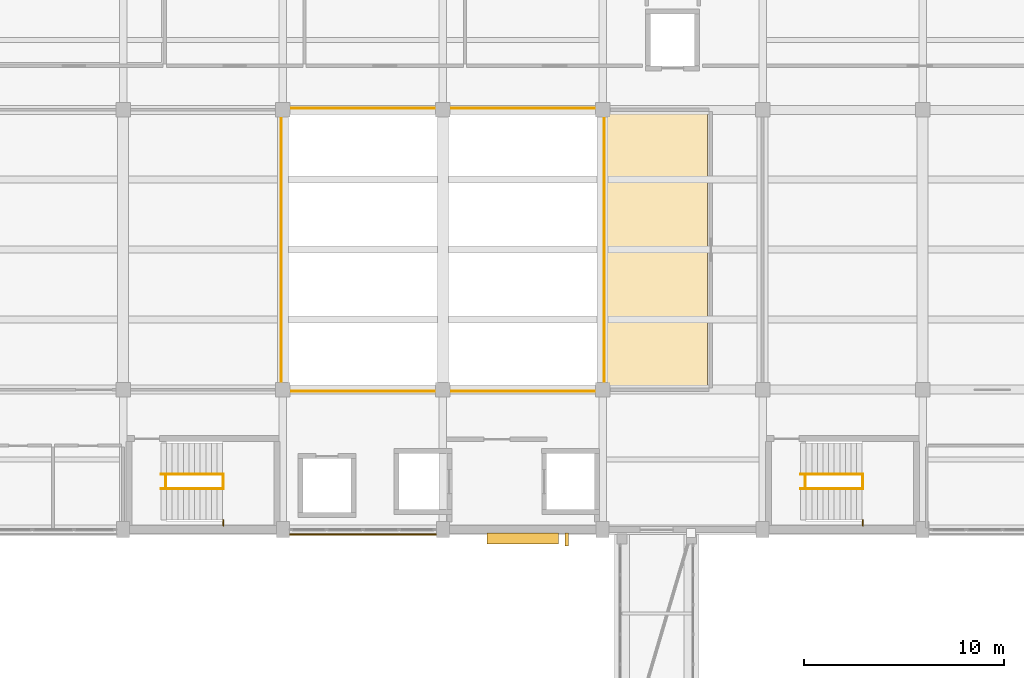
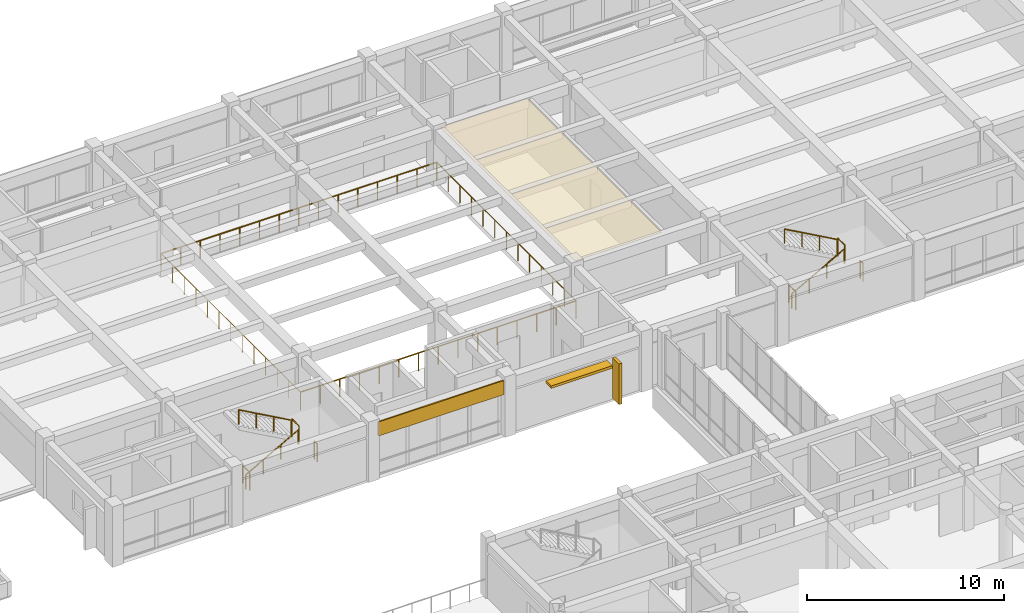
# One storey, part 39 of 42: 14 railings, 2 coverings, 2 shading devices.
"""IFC4 building model written with IfcOpenShell, lengths in metres."""

from ifc_helpers import new_model, si_unit, direction, frame, origin, origin_2d, place, context, subcontext, project, spatial, polyline, rectangle, circle, outline, extrude, material, layer, layer_set, type_object, element, save


model = new_model("IFC4")

# Units and contexts
model_context = context("Model", 3, precision=1e-05, world=origin(), true_north=direction((0.0, 1.0)))
body_context = subcontext(model_context, "Body", "Model", "MODEL_VIEW")
ifc_project = project(units=[si_unit("LENGTHUNIT", "METRE"), si_unit("AREAUNIT", "SQUARE_METRE"), si_unit("VOLUMEUNIT", "CUBIC_METRE"), si_unit("PLANEANGLEUNIT", "RADIAN"), si_unit("MASSUNIT", "GRAM", prefix="KILO")], contexts=[model_context])

# Site, building, storey
site_placement = place(None, origin())
site = spatial("IfcSite", under=ifc_project, at=site_placement, CompositionType="ELEMENT")
building_placement = place(site_placement, origin())
building = spatial("IfcBuilding", under=site, at=building_placement, Name="Naurynzar Civic Courthouse", CompositionType="ELEMENT")
storey_placement = place(building_placement, frame((0.0, 0.0, 18.300048828125)))
storey = spatial("IfcBuildingStorey", under=building, at=storey_placement, Name="L05", CompositionType="ELEMENT", Elevation=18.300048828125)

# Coverings
ifc_material_1 = material(Name="Mineral Fibre Acoustic Ceiling")
ifc_layer_1 = layer(ifc_material_1, 0.030029296875)
ifc_layer_set_1 = layer_set([ifc_layer_1], Name="CEIL-MINERAL-30")
covering_type_1 = type_object("IfcCoveringType", Name="CEIL-MINERAL-30", PredefinedType="CEILING", material=ifc_layer_set_1)
covering_1_placement = place(storey_placement, frame((0.0, 0.0, 3.364990234375)))
element("IfcCovering", 1, at=covering_1_placement, inside=storey, type_object=covering_type_1, Name="Acoustic suspended ceiling Jury Room 5A", PredefinedType="CEILING", context=body_context, shape_type="SweptSolid", body=[
    extrude(outline(polyline([(93.159912109375, 51.159912109375), (93.159912109375, 64.840087890625), (98.239990234375, 64.840087890625), (98.239990234375, 51.159912109375), (93.159912109375, 51.159912109375)])), origin(), (0.0, 0.0, 1.0), 0.030029296875),
])
ifc_material_2 = material(Name="Precast concrete C40/50", Category="concrete")
ifc_layer_2 = layer(ifc_material_2, 0.080078125)
ifc_layer_set_2 = layer_set([ifc_layer_2], Name="COV-CLAD-PRECAST-80")
covering_type_2 = type_object("IfcCoveringType", Name="COV-CLAD-PRECAST-80", PredefinedType="CLADDING", material=ifc_layer_set_2)
covering_2_placement = place(storey_placement, frame((81.0, 43.7451171875, 2.599853515625), z_axis=(0.0, 0.0, 1.0), x_axis=(-1.0, 0.0, 0.0)))
element("IfcCovering", 2, at=covering_2_placement, inside=storey, type_object=covering_type_2, Name="V2 precast spandrel cladding 41", PredefinedType="CLADDING", context=body_context, shape_type="SweptSolid", body=[
    extrude(rectangle(XDim=7.35009765625, YDim=0.080078125, at=origin_2d()), origin(), (0.0, 0.0, 1.0), 0.8701171875),
])

# Railings
ifc_material_3 = material(Name="Brushed Stainless Steel 304", Category="steel")
railing_type_1 = type_object("IfcRailingType", Name="RAIL-BAL-1100", PredefinedType="BALUSTRADE", material=ifc_material_3)
railing_1_placement = place(storey_placement, frame((76.919921875, 50.919921875, 0.0)))
element("IfcRailing", 3, at=railing_1_placement, inside=storey, type_object=railing_type_1, Name="Atrium gallery balustrade guard GR-VOID-V2-L05.1", PredefinedType="BALUSTRADE", context=body_context, shape_type="SweptSolid", body=[
    extrude(circle(Radius=0.02392578125, at=origin_2d()), frame((0.0, 0.0, 1.09619140625), z_axis=(1.0, 0.0, 0.0), x_axis=(0.0, 1.0, 0.0)), (0.0, 0.0, 1.0), 16.16015625),
    extrude(circle(Radius=0.02099609375, at=origin_2d()), origin(), (0.0, 0.0, 1.0), 1.072021484375),
    extrude(circle(Radius=0.02099609375, at=origin_2d()), frame((1.154296875, 0.0, 0.0)), (0.0, 0.0, 1.0), 1.072021484375),
    extrude(circle(Radius=0.02099609375, at=origin_2d()), frame((2.30859375, 0.0, 0.0)), (0.0, 0.0, 1.0), 1.072021484375),
    extrude(circle(Radius=0.02099609375, at=origin_2d()), frame((3.462890625, 0.0, 0.0)), (0.0, 0.0, 1.0), 1.072021484375),
    extrude(circle(Radius=0.02099609375, at=origin_2d()), frame((4.6171875, 0.0, 0.0)), (0.0, 0.0, 1.0), 1.072021484375),
    extrude(circle(Radius=0.02099609375, at=origin_2d()), frame((5.771484375, 0.0, 0.0)), (0.0, 0.0, 1.0), 1.072021484375),
    extrude(circle(Radius=0.02099609375, at=origin_2d()), frame((6.92578125, 0.0, 0.0)), (0.0, 0.0, 1.0), 1.072021484375),
    extrude(circle(Radius=0.02099609375, at=origin_2d()), frame((8.080078125, 0.0, 0.0)), (0.0, 0.0, 1.0), 1.072021484375),
    extrude(circle(Radius=0.02099609375, at=origin_2d()), frame((9.234375, 0.0, 0.0)), (0.0, 0.0, 1.0), 1.072021484375),
    extrude(circle(Radius=0.02099609375, at=origin_2d()), frame((10.388671875, 0.0, 0.0)), (0.0, 0.0, 1.0), 1.072021484375),
    extrude(circle(Radius=0.02099609375, at=origin_2d()), frame((11.54296875, 0.0, 0.0)), (0.0, 0.0, 1.0), 1.072021484375),
    extrude(circle(Radius=0.02099609375, at=origin_2d()), frame((12.697265625, 0.0, 0.0)), (0.0, 0.0, 1.0), 1.072021484375),
    extrude(circle(Radius=0.02099609375, at=origin_2d()), frame((13.8515625, 0.0, 0.0)), (0.0, 0.0, 1.0), 1.072021484375),
    extrude(circle(Radius=0.02099609375, at=origin_2d()), frame((15.005859375, 0.0, 0.0)), (0.0, 0.0, 1.0), 1.072021484375),
    extrude(circle(Radius=0.02099609375, at=origin_2d()), frame((16.16015625, 0.0, 0.0)), (0.0, 0.0, 1.0), 1.072021484375),
])
railing_2_placement = place(storey_placement, frame((93.080078125, 50.919921875, 0.0)))
element("IfcRailing", 4, at=railing_2_placement, inside=storey, type_object=railing_type_1, Name="Atrium gallery balustrade guard GR-VOID-V2-L05.2", PredefinedType="BALUSTRADE", context=body_context, shape_type="SweptSolid", body=[
    extrude(circle(Radius=0.02392578125, at=origin_2d()), frame((0.0, 0.0, 1.09619140625), z_axis=(0.0, 1.0, 0.0), x_axis=(-1.0, 0.0, 0.0)), (0.0, 0.0, 1.0), 14.16015625),
    extrude(circle(Radius=0.02099609375, at=origin_2d()), origin(), (0.0, 0.0, 1.0), 1.072021484375),
    extrude(circle(Radius=0.02099609375, at=origin_2d()), frame((0.0, 1.179931640625, 0.0)), (0.0, 0.0, 1.0), 1.072021484375),
    extrude(circle(Radius=0.02099609375, at=origin_2d()), frame((0.0, 2.360107421875, 0.0)), (0.0, 0.0, 1.0), 1.072021484375),
    extrude(circle(Radius=0.02099609375, at=origin_2d()), frame((0.0, 3.5400390625, 0.0)), (0.0, 0.0, 1.0), 1.072021484375),
    extrude(circle(Radius=0.02099609375, at=origin_2d()), frame((0.0, 4.719970703125, 0.0)), (0.0, 0.0, 1.0), 1.072021484375),
    extrude(circle(Radius=0.02099609375, at=origin_2d()), frame((0.0, 5.900146484375, 0.0)), (0.0, 0.0, 1.0), 1.072021484375),
    extrude(circle(Radius=0.02099609375, at=origin_2d()), frame((0.0, 7.080078125, 0.0)), (0.0, 0.0, 1.0), 1.072021484375),
    extrude(circle(Radius=0.02099609375, at=origin_2d()), frame((0.0, 8.260009765625, 0.0)), (0.0, 0.0, 1.0), 1.072021484375),
    extrude(circle(Radius=0.02099609375, at=origin_2d()), frame((0.0, 9.440185546875, 0.0)), (0.0, 0.0, 1.0), 1.072021484375),
    extrude(circle(Radius=0.02099609375, at=origin_2d()), frame((0.0, 10.6201171875, 0.0)), (0.0, 0.0, 1.0), 1.072021484375),
    extrude(circle(Radius=0.02099609375, at=origin_2d()), frame((0.0, 11.800048828125, 0.0)), (0.0, 0.0, 1.0), 1.072021484375),
    extrude(circle(Radius=0.02099609375, at=origin_2d()), frame((0.0, 12.980224609375, 0.0)), (0.0, 0.0, 1.0), 1.072021484375),
    extrude(circle(Radius=0.02099609375, at=origin_2d()), frame((0.0, 14.16015625, 0.0)), (0.0, 0.0, 1.0), 1.072021484375),
])
railing_3_placement = place(storey_placement, frame((93.080078125, 65.080078125, 0.0)))
element("IfcRailing", 5, at=railing_3_placement, inside=storey, type_object=railing_type_1, Name="Atrium gallery balustrade guard GR-VOID-V2-L05.3", PredefinedType="BALUSTRADE", context=body_context, shape_type="SweptSolid", body=[
    extrude(circle(Radius=0.02392578125, at=origin_2d()), frame((0.0, 0.0, 1.09619140625), z_axis=(-1.0, 0.0, 0.0), x_axis=(0.0, -1.0, 0.0)), (0.0, 0.0, 1.0), 16.16015625),
    extrude(circle(Radius=0.02099609375, at=origin_2d()), origin(), (0.0, 0.0, 1.0), 1.072021484375),
    extrude(circle(Radius=0.02099609375, at=origin_2d()), frame((-1.154296875, 0.0, 0.0)), (0.0, 0.0, 1.0), 1.072021484375),
    extrude(circle(Radius=0.02099609375, at=origin_2d()), frame((-2.30859375, 0.0, 0.0)), (0.0, 0.0, 1.0), 1.072021484375),
    extrude(circle(Radius=0.02099609375, at=origin_2d()), frame((-3.462890625, 0.0, 0.0)), (0.0, 0.0, 1.0), 1.072021484375),
    extrude(circle(Radius=0.02099609375, at=origin_2d()), frame((-4.6171875, 0.0, 0.0)), (0.0, 0.0, 1.0), 1.072021484375),
    extrude(circle(Radius=0.02099609375, at=origin_2d()), frame((-5.771484375, 0.0, 0.0)), (0.0, 0.0, 1.0), 1.072021484375),
    extrude(circle(Radius=0.02099609375, at=origin_2d()), frame((-6.92578125, 0.0, 0.0)), (0.0, 0.0, 1.0), 1.072021484375),
    extrude(circle(Radius=0.02099609375, at=origin_2d()), frame((-8.080078125, 0.0, 0.0)), (0.0, 0.0, 1.0), 1.072021484375),
    extrude(circle(Radius=0.02099609375, at=origin_2d()), frame((-9.234375, 0.0, 0.0)), (0.0, 0.0, 1.0), 1.072021484375),
    extrude(circle(Radius=0.02099609375, at=origin_2d()), frame((-10.388671875, 0.0, 0.0)), (0.0, 0.0, 1.0), 1.072021484375),
    extrude(circle(Radius=0.02099609375, at=origin_2d()), frame((-11.54296875, 0.0, 0.0)), (0.0, 0.0, 1.0), 1.072021484375),
    extrude(circle(Radius=0.02099609375, at=origin_2d()), frame((-12.697265625, 0.0, 0.0)), (0.0, 0.0, 1.0), 1.072021484375),
    extrude(circle(Radius=0.02099609375, at=origin_2d()), frame((-13.8515625, 0.0, 0.0)), (0.0, 0.0, 1.0), 1.072021484375),
    extrude(circle(Radius=0.02099609375, at=origin_2d()), frame((-15.005859375, 0.0, 0.0)), (0.0, 0.0, 1.0), 1.072021484375),
    extrude(circle(Radius=0.02099609375, at=origin_2d()), frame((-16.16015625, 0.0, 0.0)), (0.0, 0.0, 1.0), 1.072021484375),
])
railing_4_placement = place(storey_placement, frame((76.919921875, 65.080078125, 0.0)))
element("IfcRailing", 6, at=railing_4_placement, inside=storey, type_object=railing_type_1, Name="Atrium gallery balustrade guard GR-VOID-V2-L05.4", PredefinedType="BALUSTRADE", context=body_context, shape_type="SweptSolid", body=[
    extrude(circle(Radius=0.02392578125, at=origin_2d()), frame((0.0, 0.0, 1.09619140625), z_axis=(0.0, -1.0, 0.0), x_axis=(1.0, 0.0, 0.0)), (0.0, 0.0, 1.0), 14.16015625),
    extrude(circle(Radius=0.02099609375, at=origin_2d()), origin(), (0.0, 0.0, 1.0), 1.072021484375),
    extrude(circle(Radius=0.02099609375, at=origin_2d()), frame((0.0, -1.179931640625, 0.0)), (0.0, 0.0, 1.0), 1.072021484375),
    extrude(circle(Radius=0.02099609375, at=origin_2d()), frame((0.0, -2.360107421875, 0.0)), (0.0, 0.0, 1.0), 1.072021484375),
    extrude(circle(Radius=0.02099609375, at=origin_2d()), frame((0.0, -3.5400390625, 0.0)), (0.0, 0.0, 1.0), 1.072021484375),
    extrude(circle(Radius=0.02099609375, at=origin_2d()), frame((0.0, -4.719970703125, 0.0)), (0.0, 0.0, 1.0), 1.072021484375),
    extrude(circle(Radius=0.02099609375, at=origin_2d()), frame((0.0, -5.900146484375, 0.0)), (0.0, 0.0, 1.0), 1.072021484375),
    extrude(circle(Radius=0.02099609375, at=origin_2d()), frame((0.0, -7.080078125, 0.0)), (0.0, 0.0, 1.0), 1.072021484375),
    extrude(circle(Radius=0.02099609375, at=origin_2d()), frame((0.0, -8.260009765625, 0.0)), (0.0, 0.0, 1.0), 1.072021484375),
    extrude(circle(Radius=0.02099609375, at=origin_2d()), frame((0.0, -9.440185546875, 0.0)), (0.0, 0.0, 1.0), 1.072021484375),
    extrude(circle(Radius=0.02099609375, at=origin_2d()), frame((0.0, -10.6201171875, 0.0)), (0.0, 0.0, 1.0), 1.072021484375),
    extrude(circle(Radius=0.02099609375, at=origin_2d()), frame((0.0, -11.800048828125, 0.0)), (0.0, 0.0, 1.0), 1.072021484375),
    extrude(circle(Radius=0.02099609375, at=origin_2d()), frame((0.0, -12.980224609375, 0.0)), (0.0, 0.0, 1.0), 1.072021484375),
    extrude(circle(Radius=0.02099609375, at=origin_2d()), frame((0.0, -14.16015625, 0.0)), (0.0, 0.0, 1.0), 1.072021484375),
])
for number, where, name in (
    (7, (71.139892578125, 46.0400390625, 0.0), "Stair ST-V2A floor well slot guard L05"),
    (8, (74.02001953125, 46.0400390625, 1.875), "Stair ST-V2A-L05 half-landing well guard"),
):
    element("IfcRailing", number, at=place(storey_placement, frame(where)), inside=storey, type_object=railing_type_1, Name=name, PredefinedType="BALUSTRADE", context=body_context, shape_type="SweptSolid", body=[
        extrude(circle(Radius=0.02392578125, at=origin_2d()), frame((0.0, 0.0, 1.09619140625), z_axis=(0.0, 1.0, 0.0), x_axis=(-1.0, 0.0, 0.0)), (0.0, 0.0, 1.0), 0.719970703125),
        extrude(circle(Radius=0.02099609375, at=origin_2d()), origin(), (0.0, 0.0, 1.0), 1.072021484375),
        extrude(circle(Radius=0.02099609375, at=origin_2d()), frame((0.0, 0.719970703125, 0.0)), (0.0, 0.0, 1.0), 1.072021484375),
    ])
railing_5_placement = place(storey_placement, frame((74.02001953125, 44.195068359375, 1.875)))
element("IfcRailing", 9, at=railing_5_placement, inside=storey, type_object=railing_type_1, Name="Stair ST-V2A-L05 half-landing south slot guard", PredefinedType="BALUSTRADE", context=body_context, shape_type="SweptSolid", body=[
    extrude(circle(Radius=0.02392578125, at=origin_2d()), frame((0.0, 0.0, 1.09619140625), z_axis=(0.0, 1.0, 0.0), x_axis=(-1.0, 0.0, 0.0)), (0.0, 0.0, 1.0), 0.284912109375),
    extrude(circle(Radius=0.02099609375, at=origin_2d()), origin(), (0.0, 0.0, 1.0), 1.072021484375),
    extrude(circle(Radius=0.02099609375, at=origin_2d()), frame((0.0, 0.284912109375, 0.0)), (0.0, 0.0, 1.0), 1.072021484375),
])
for number, where, name in (
    (10, (103.139892578125, 46.0400390625, 0.0), "Stair ST-V2B floor well slot guard L05"),
    (11, (106.02001953125, 46.0400390625, 1.875), "Stair ST-V2B-L05 half-landing well guard"),
):
    element("IfcRailing", number, at=place(storey_placement, frame(where)), inside=storey, type_object=railing_type_1, Name=name, PredefinedType="BALUSTRADE", context=body_context, shape_type="SweptSolid", body=[
        extrude(circle(Radius=0.02392578125, at=origin_2d()), frame((0.0, 0.0, 1.09619140625), z_axis=(0.0, 1.0, 0.0), x_axis=(-1.0, 0.0, 0.0)), (0.0, 0.0, 1.0), 0.719970703125),
        extrude(circle(Radius=0.02099609375, at=origin_2d()), origin(), (0.0, 0.0, 1.0), 1.072021484375),
        extrude(circle(Radius=0.02099609375, at=origin_2d()), frame((0.0, 0.719970703125, 0.0)), (0.0, 0.0, 1.0), 1.072021484375),
    ])
railing_6_placement = place(storey_placement, frame((106.02001953125, 44.195068359375, 1.875)))
element("IfcRailing", 12, at=railing_6_placement, inside=storey, type_object=railing_type_1, Name="Stair ST-V2B-L05 half-landing south slot guard", PredefinedType="BALUSTRADE", context=body_context, shape_type="SweptSolid", body=[
    extrude(circle(Radius=0.02392578125, at=origin_2d()), frame((0.0, 0.0, 1.09619140625), z_axis=(0.0, 1.0, 0.0), x_axis=(-1.0, 0.0, 0.0)), (0.0, 0.0, 1.0), 0.284912109375),
    extrude(circle(Radius=0.02099609375, at=origin_2d()), origin(), (0.0, 0.0, 1.0), 1.072021484375),
    extrude(circle(Radius=0.02099609375, at=origin_2d()), frame((0.0, 0.284912109375, 0.0)), (0.0, 0.0, 1.0), 1.072021484375),
])
ifc_material_4 = material(Name="Brushed Stainless Steel 304", Category="steel")
railing_type_2 = type_object("IfcRailingType", Name="RAIL-HR-900", PredefinedType="HANDRAIL", material=ifc_material_4)
railing_7_placement = place(storey_placement, frame((70.89990234375, 46.0400390625, 0.15625)))
element("IfcRailing", 13, at=railing_7_placement, inside=storey, type_object=railing_type_2, Name="Stair ST-V2A-L05 flight 1 handrail", PredefinedType="HANDRAIL", context=body_context, shape_type="SweptSolid", body=[
    extrude(circle(Radius=0.02392578125, at=origin_2d()), frame((0.0, 0.0, 0.8759765625), z_axis=(0.873241540666, 0.0, 0.487287606713), x_axis=(0.0, 1.0, 0.0)), (0.0, 0.0, 1.0), 3.527099609375),
    extrude(circle(Radius=0.02099609375, at=origin_2d()), origin(), (0.0, 0.0, 1.0), 0.851806640625),
    extrude(circle(Radius=0.02099609375, at=origin_2d()), frame((1.026611328125, 0.0, 0.572998046875)), (0.0, 0.0, 1.0), 0.851806640625),
    extrude(circle(Radius=0.02099609375, at=origin_2d()), frame((2.053466796875, 0.0, 1.145751953125)), (0.0, 0.0, 1.0), 0.851806640625),
    extrude(circle(Radius=0.02099609375, at=origin_2d()), frame((3.080078125, 0.0, 1.71875)), (0.0, 0.0, 1.0), 0.851806640625),
])
railing_8_placement = place(storey_placement, frame((73.97998046875, 46.760009765625, 2.03125)))
element("IfcRailing", 14, at=railing_8_placement, inside=storey, type_object=railing_type_2, Name="Stair ST-V2A-L05 flight 2 handrail", PredefinedType="HANDRAIL", context=body_context, shape_type="SweptSolid", body=[
    extrude(circle(Radius=0.02392578125, at=origin_2d()), frame((0.0, 0.0, 0.8759765625), z_axis=(-0.873241540666, 0.0, 0.487287606713), x_axis=(0.0, -1.0, 0.0)), (0.0, 0.0, 1.0), 3.527099609375),
    extrude(circle(Radius=0.02099609375, at=origin_2d()), origin(), (0.0, 0.0, 1.0), 0.851806640625),
    extrude(circle(Radius=0.02099609375, at=origin_2d()), frame((-1.026611328125, 0.0, 0.572998046875)), (0.0, 0.0, 1.0), 0.851806640625),
    extrude(circle(Radius=0.02099609375, at=origin_2d()), frame((-2.053466796875, 0.0, 1.145751953125)), (0.0, 0.0, 1.0), 0.851806640625),
    extrude(circle(Radius=0.02099609375, at=origin_2d()), frame((-3.080078125, 0.0, 1.71875)), (0.0, 0.0, 1.0), 0.851806640625),
])
railing_9_placement = place(storey_placement, frame((102.89990234375, 46.0400390625, 0.15625)))
element("IfcRailing", 15, at=railing_9_placement, inside=storey, type_object=railing_type_2, Name="Stair ST-V2B-L05 flight 1 handrail", PredefinedType="HANDRAIL", context=body_context, shape_type="SweptSolid", body=[
    extrude(circle(Radius=0.02392578125, at=origin_2d()), frame((0.0, 0.0, 0.8759765625), z_axis=(0.873241540666, 0.0, 0.487287606713), x_axis=(0.0, 1.0, 0.0)), (0.0, 0.0, 1.0), 3.527099609375),
    extrude(circle(Radius=0.02099609375, at=origin_2d()), origin(), (0.0, 0.0, 1.0), 0.851806640625),
    extrude(circle(Radius=0.02099609375, at=origin_2d()), frame((1.026611328125, 0.0, 0.572998046875)), (0.0, 0.0, 1.0), 0.851806640625),
    extrude(circle(Radius=0.02099609375, at=origin_2d()), frame((2.053466796875, 0.0, 1.145751953125)), (0.0, 0.0, 1.0), 0.851806640625),
    extrude(circle(Radius=0.02099609375, at=origin_2d()), frame((3.080078125, 0.0, 1.71875)), (0.0, 0.0, 1.0), 0.851806640625),
])
railing_10_placement = place(storey_placement, frame((105.97998046875, 46.760009765625, 2.03125)))
element("IfcRailing", 16, at=railing_10_placement, inside=storey, type_object=railing_type_2, Name="Stair ST-V2B-L05 flight 2 handrail", PredefinedType="HANDRAIL", context=body_context, shape_type="SweptSolid", body=[
    extrude(circle(Radius=0.02392578125, at=origin_2d()), frame((0.0, 0.0, 0.8759765625), z_axis=(-0.873241540666, 0.0, 0.487287606713), x_axis=(0.0, -1.0, 0.0)), (0.0, 0.0, 1.0), 3.527099609375),
    extrude(circle(Radius=0.02099609375, at=origin_2d()), origin(), (0.0, 0.0, 1.0), 0.851806640625),
    extrude(circle(Radius=0.02099609375, at=origin_2d()), frame((-1.026611328125, 0.0, 0.572998046875)), (0.0, 0.0, 1.0), 0.851806640625),
    extrude(circle(Radius=0.02099609375, at=origin_2d()), frame((-2.053466796875, 0.0, 1.145751953125)), (0.0, 0.0, 1.0), 0.851806640625),
    extrude(circle(Radius=0.02099609375, at=origin_2d()), frame((-3.080078125, 0.0, 1.71875)), (0.0, 0.0, 1.0), 0.851806640625),
])

# Shading devices
ifc_material_5 = material(Name="Precast concrete C40/50", Category="concrete")
shading_device_type_1 = type_object("IfcShadingDeviceType", Name="SHD-FIN-V650", PredefinedType="JALOUSIE", material=ifc_material_5)
shading_device_1_placement = place(storey_placement, frame((91.205078125, 43.489990234375, 0.0400390625), z_axis=(0.0, 0.0, 1.0), x_axis=(-1.0, 0.0, 0.0)))
element("IfcShadingDevice", 17, at=shading_device_1_placement, inside=storey, type_object=shading_device_type_1, Name="V2 vertical brise-soleil fin 28", PredefinedType="JALOUSIE", context=body_context, shape_type="SweptSolid", body=[
    extrude(rectangle(XDim=0.179931640625, YDim=0.64990234375, at=origin_2d()), origin(), (0.0, 0.0, 1.0), 2.52001953125),
])
ifc_material_6 = material(Name="Precast concrete C40/50", Category="concrete")
shading_device_type_2 = type_object("IfcShadingDeviceType", Name="SHD-LOUV-H550", PredefinedType="SHUTTER", material=ifc_material_6)
shading_device_2_placement = place(storey_placement, frame((89.0, 43.5400390625, 2.35986328125), z_axis=(0.0, 0.0, 1.0), x_axis=(-1.0, 0.0, 0.0)))
element("IfcShadingDevice", 18, at=shading_device_2_placement, inside=storey, type_object=shading_device_type_2, Name="V2 horizontal solar sun-breaker 28", PredefinedType="SHUTTER", context=body_context, shape_type="SweptSolid", body=[
    extrude(rectangle(XDim=3.60009765625, YDim=0.550048828125, at=origin_2d()), origin(), (0.0, 0.0, 1.0), 0.159912109375),
])

save(model, "model.ifc")
